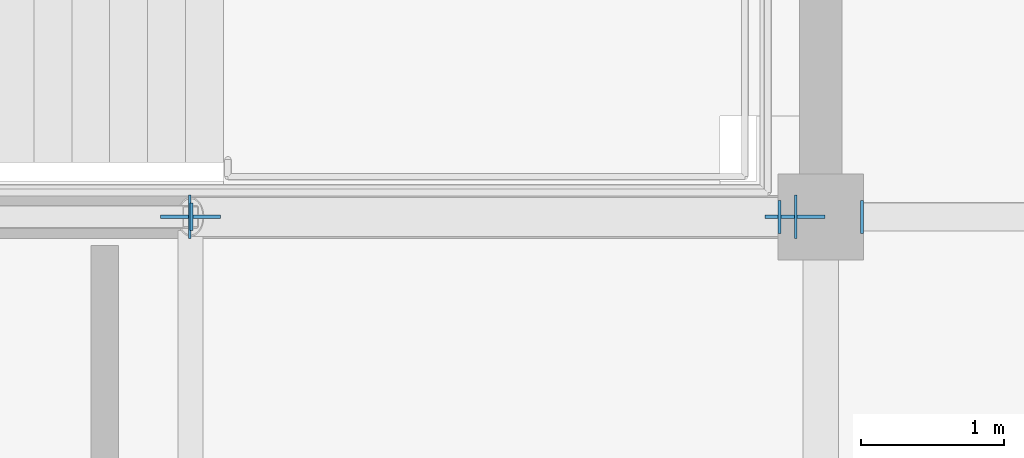
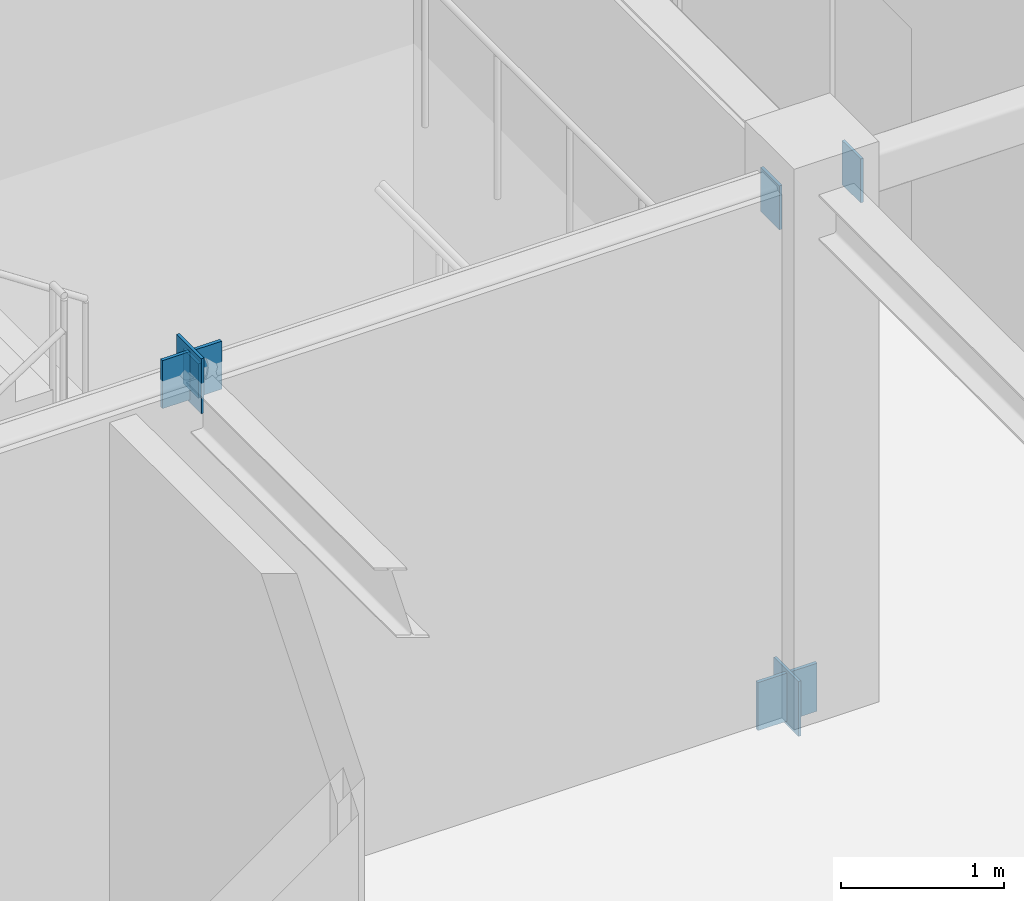
# One storey, part 52 of 88: 7 plates.
"""IFC4 building model written with IfcOpenShell, lengths in metres."""

from ifc_helpers import new_model, si_unit, direction, frame, origin, origin_2d, place, context, subcontext, project, spatial, rectangle, extrude, material, layer, layer_set, type_object, element, save


model = new_model("IFC4")

# Units and contexts
model_context = context("Model", 3, precision=1e-05, world=origin(), true_north=direction((0.0, 1.0)))
body_context = subcontext(model_context, "Body", "Model", "MODEL_VIEW")
ifc_project = project(units=[si_unit("LENGTHUNIT", "METRE"), si_unit("AREAUNIT", "SQUARE_METRE"), si_unit("VOLUMEUNIT", "CUBIC_METRE"), si_unit("PLANEANGLEUNIT", "RADIAN"), si_unit("MASSUNIT", "GRAM", prefix="KILO")], contexts=[model_context])

# Site, building, storey
site_placement = place(None, origin())
site = spatial("IfcSite", under=ifc_project, at=site_placement, CompositionType="ELEMENT")
building_placement = place(site_placement, origin())
building = spatial("IfcBuilding", under=site, at=building_placement, Name="Zhaolan Boulevard Law Courts", CompositionType="ELEMENT")
storey_placement = place(building_placement, frame((0.0, 0.0, 16.199951171875)))
storey = spatial("IfcBuildingStorey", under=building, at=storey_placement, Name="L03", CompositionType="ELEMENT", Elevation=16.199951171875)

# Plates
ifc_material_1 = material(Name="Structural steel Q355B", Category="steel")
ifc_layer_1 = layer(ifc_material_1, 0.02392578125)
ifc_layer_set_1 = layer_set([ifc_layer_1])
plate_type_1 = type_object("IfcPlateType", Name="BRACE GUSSET PLATE 24", PredefinedType="SHEET", material=ifc_layer_set_1)
for number, where, z_axis, x_axis, name in (
    (1, (26.219970703125, 62.0, -0.14990234375), (0.0, 0.0, 1.0), (1.0, 0.0, 0.0), "Brace Gusset Connection Plate GP-W2-L03-SA2"),
    (2, (22.0, 62.0, 3.740234375), (0.0, 0.0, 1.0), (1.0, 0.0, 0.0), "Brace Gusset Connection Plate GP-W2-L03-SAPX"),
):
    element("IfcPlate", number, at=place(storey_placement, frame(where, z_axis=z_axis, x_axis=x_axis)), inside=storey, type_object=plate_type_1, Name=name, PredefinedType="SHEET", context=body_context, shape_type="SweptSolid", body=[
        extrude(rectangle(XDim=0.419921875, YDim=0.02392578125, at=origin_2d()), origin(), (0.0, 0.0, 1.0), 0.360107421875),
    ])
ifc_material_2 = material(Name="Structural steel Q355B", Category="steel")
ifc_layer_2 = layer(ifc_material_2, 0.02001953125)
ifc_layer_set_2 = layer_set([ifc_layer_2])
plate_type_2 = type_object("IfcPlateType", Name="END CAP PLATE 20", PredefinedType="SHEET", material=ifc_layer_set_2)
for number, where, z_axis, x_axis, name in (
    (3, (26.112060546875, 62.0, 3.633056640625), (0.0, 0.0, 1.0), (1.0, 0.0, 0.0), "Hollow Section End-Cap Plate ECP-0902"),
    (4, (26.68798828125, 62.0, 3.633056640625), (0.0, 0.0, 1.0), (1.0, 0.0, 0.0), "Hollow Section End-Cap Plate ECP-0903"),
):
    element("IfcPlate", number, at=place(storey_placement, frame(where, z_axis=z_axis, x_axis=x_axis)), inside=storey, type_object=plate_type_2, Name=name, PredefinedType="SHEET", context=body_context, shape_type="SweptSolid", body=[
        extrude(rectangle(XDim=0.02001953125, YDim=0.22998046875, at=origin_2d()), origin(), (0.0, 0.0, 1.0), 0.330078125),
    ])
plate_placement = place(storey_placement, frame((22.005859375, 62.0, 3.79638671875), z_axis=(0.0, 0.0, 1.0), x_axis=(1.0, 0.0, 0.0)))
element("IfcPlate", 5, at=plate_placement, inside=storey, type_object=plate_type_2, Name="Hollow Section End-Cap Plate ECP-1172", PredefinedType="SHEET", context=body_context, shape_type="SweptSolid", body=[
    extrude(rectangle(XDim=0.02001953125, YDim=0.18994140625, at=origin_2d()), origin(), (0.0, 0.0, 1.0), 0.258056640625),
])
for number, where, z_axis, x_axis, name in (
    (6, (26.225830078125, 62.0, -0.181396484375), (0.0, 0.0, 1.0), (-1.0, 0.0, 0.0), "Hollow Section End-Cap Plate ECP-1173"),
    (7, (21.994140625, 62.0, 3.719482421875), (0.0, 0.0, 1.0), (-1.0, 0.0, 0.0), "Hollow Section End-Cap Plate ECP-1174"),
):
    element("IfcPlate", number, at=place(storey_placement, frame(where, z_axis=z_axis, x_axis=x_axis)), inside=storey, type_object=plate_type_2, Name=name, PredefinedType="SHEET", context=body_context, shape_type="SweptSolid", body=[
        extrude(rectangle(XDim=0.02001953125, YDim=0.302978515625, at=origin_2d()), origin(), (0.0, 0.0, 1.0), 0.412109375),
    ])

save(model, "model.ifc")
